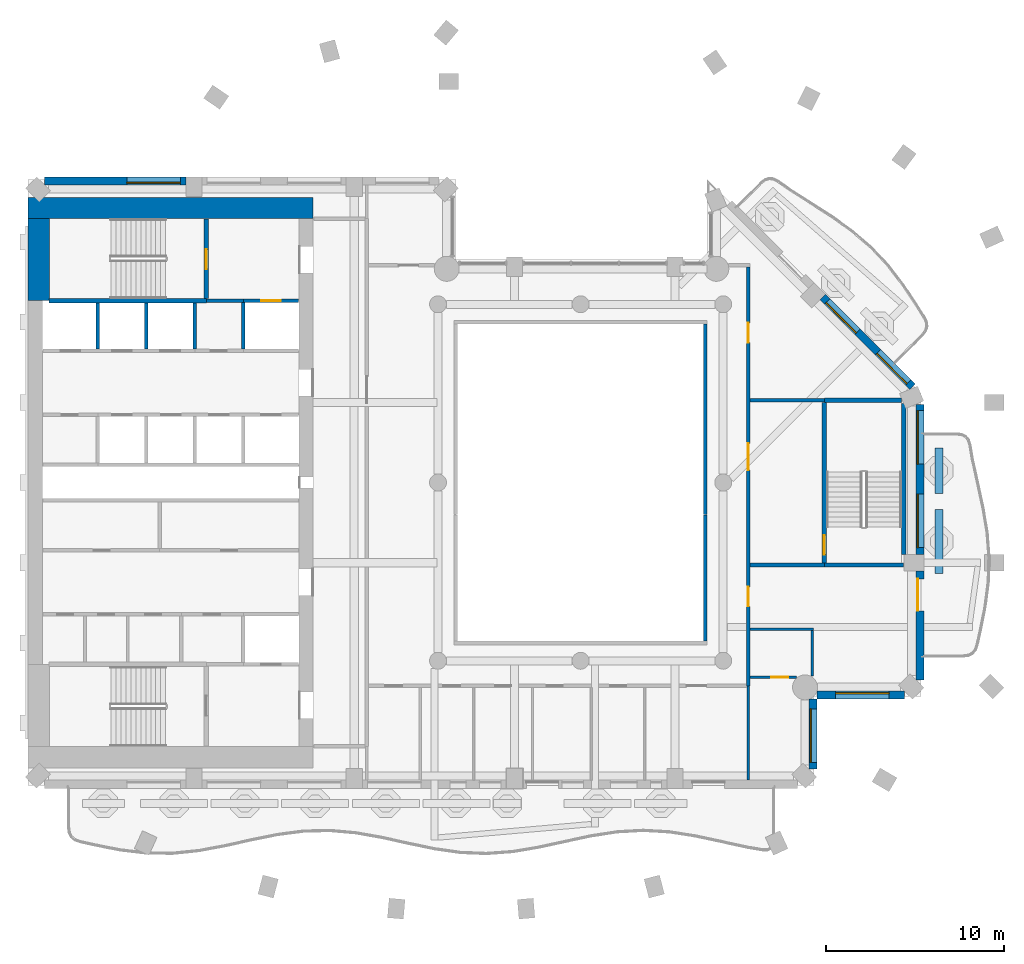
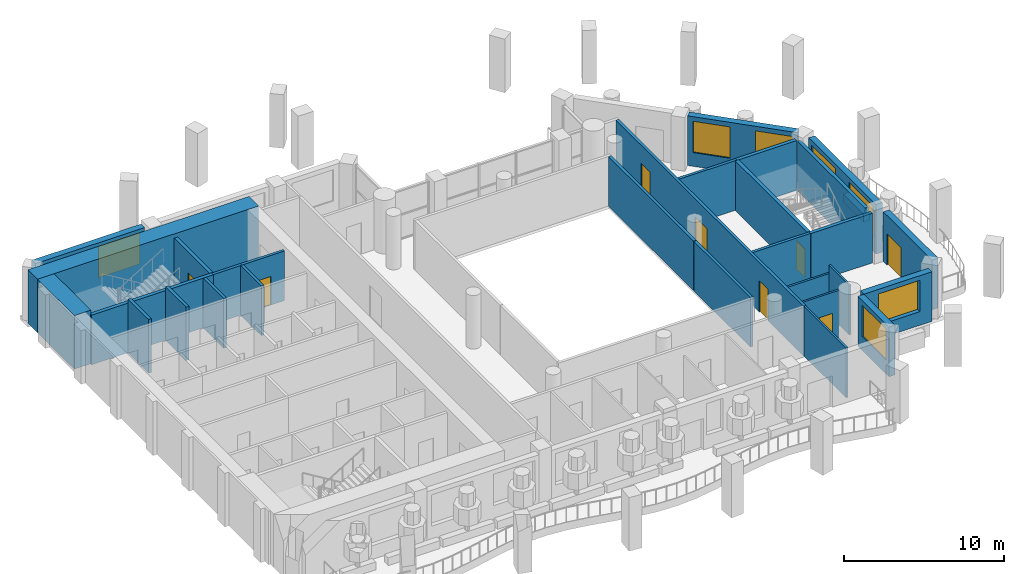
# One storey, part 6 of 15: 31 walls, 8 doors, 7 windows, 15 openings.
"""IFC4 building model written with IfcOpenShell, lengths in metres."""

from ifc_helpers import new_model, si_unit, direction, frame, frame_2d, origin, place, context, subcontext, project, spatial, rectangle, extrude, material, layer, layer_set, type_object, element, fill, save


model = new_model("IFC4")

# Units and contexts
model_context = context("Model", 3, precision=1e-05, world=origin(), true_north=direction((0.0, 1.0)))
body_context = subcontext(model_context, "Body", "Model", "MODEL_VIEW")
ifc_project = project(units=[si_unit("LENGTHUNIT", "METRE"), si_unit("AREAUNIT", "SQUARE_METRE"), si_unit("VOLUMEUNIT", "CUBIC_METRE"), si_unit("PLANEANGLEUNIT", "RADIAN"), si_unit("MASSUNIT", "GRAM", prefix="KILO")], contexts=[model_context])

# Site, building, storey
site_placement = place(None, origin())
site = spatial("IfcSite", under=ifc_project, at=site_placement, CompositionType="ELEMENT")
building_placement = place(site_placement, origin())
building = spatial("IfcBuilding", under=site, at=building_placement, Name="Cypress Arch Tower", CompositionType="ELEMENT")
storey_placement = place(building_placement, frame((0.0, 0.0, 164.60009765625)))
storey = spatial("IfcBuildingStorey", under=building, at=storey_placement, Name="L35", CompositionType="ELEMENT", Elevation=164.60009765625)

# Walls
ifc_material_1 = material(Name="Concrete C40/50, waterproofed", Category="concrete")
ifc_layer_1 = layer(ifc_material_1, 0.449951171875)
ifc_layer_set_1 = layer_set([ifc_layer_1], Name="Balcony planter wall PW450")
wall_type_1 = type_object("IfcWallType", Name="Balcony planter wall PW450", PredefinedType="SOLIDWALL", material=ifc_layer_set_1)
wall_1_placement = place(storey_placement, frame((21.10009765625, -5.10009765625, 0.0), z_axis=(0.0, 0.0, 1.0), x_axis=(0.0, 1.0, 0.0)))
element("IfcWall", 1, at=wall_1_placement, inside=storey, type_object=wall_type_1, Name="Balcony planter wall L35-B04.1", PredefinedType="SOLIDWALL", context=body_context, shape_type="SweptSolid", body=[
    extrude(rectangle(XDim=3.58349609375, YDim=0.449951171875, at=frame_2d((1.791748046875, 0.0))), origin(), (0.0, 0.0, 1.0), 0.599853515625),
])
wall_2_placement = place(storey_placement, frame((21.10009765625, -0.61669921875, 0.0), z_axis=(0.0, 0.0, 1.0), x_axis=(0.0, 1.0, 0.0)))
element("IfcWall", 2, at=wall_2_placement, inside=storey, type_object=wall_type_1, Name="Balcony planter wall L35-B04.2", PredefinedType="SOLIDWALL", context=body_context, shape_type="SweptSolid", body=[
    extrude(rectangle(XDim=2.566650390625, YDim=0.449951171875, at=frame_2d((1.283203125, 0.0))), origin(), (0.0, 0.0, 1.0), 0.599853515625),
])

# Wall, opening, window
ifc_material_2 = material(Name="Brick (red buff blend)", Category="masonry")
ifc_layer_2 = layer(ifc_material_2, 0.449951171875)
ifc_layer_set_2 = layer_set([ifc_layer_2], Name="Brick pier and spandrel wall BW450")
wall_type_2 = type_object("IfcWallType", Name="Brick pier and spandrel wall BW450", PredefinedType="SOLIDWALL", material=ifc_layer_set_2)
wall_3_placement = place(storey_placement, frame((14.02490234375, -16.063720703125, 0.0), z_axis=(0.0, 0.0, 1.0), x_axis=(0.0, 1.0, 0.0)))
wall_3 = element("IfcWall", 3, at=wall_3_placement, inside=storey, type_object=wall_type_2, Name="Brick wall L35 B02.0", PredefinedType="SOLIDWALL", context=body_context, shape_type="SweptSolid", body=[
    extrude(rectangle(XDim=3.9091796875, YDim=0.449951171875, at=frame_2d((1.95458984375, 0.0))), origin(), (0.0, 0.0, 1.0), 3.7998046875),
])
opening_1_placement = place(wall_3_placement, frame((0.363525390625, 0.0, 1.050048828125)))
opening_1 = element("IfcOpeningElement", 4, at=opening_1_placement, cuts=wall_3, Name="Opening W300O", PredefinedType="OPENING", context=body_context, shape_type="SweptSolid", body=[
    extrude(rectangle(XDim=3.0, YDim=2.39990234375, at=frame_2d((1.5, 1.199951171875))), frame((0.0, 0.23486328125, 0.0), z_axis=(0.0, -1.0, 0.0), x_axis=(1.0, 0.0, 0.0)), (0.0, 0.0, 1.0), 0.469970703125),
])
ifc_material_3 = material(Name="Anodised aluminium, bronze finish, clear low-emissivity double glazing", Category="aluminium")
window_type_1 = type_object("IfcWindowType", Name="Window Office 3000x2400", PartitioningType="SINGLE_PANEL", PredefinedType="WINDOW", material=ifc_material_3)
window_1_placement = place(opening_1_placement, origin())
window_1 = element("IfcWindow", 5, at=window_1_placement, inside=storey, type_object=window_type_1, Name="Window L35 B02.0.1", OverallHeight=2.39990234375, OverallWidth=3.0, PartitioningType="SINGLE_PANEL", PredefinedType="WINDOW", context=body_context, shape_type="SweptSolid", body=[
    extrude(rectangle(XDim=3.0, YDim=2.39990234375, at=frame_2d((1.5, 1.199951171875))), frame((0.0, 0.135009765625, 0.0), z_axis=(0.0, -1.0, 0.0), x_axis=(1.0, 0.0, 0.0)), (0.0, 0.0, 1.0), 0.06005859375),
])
fill(opening_1, window_1)

wall_4_placement = place(storey_placement, frame((14.254638671875, -11.925048828125, 0.0), z_axis=(0.0, 0.0, 1.0), x_axis=(1.0, 0.0, 0.0)))
wall_4 = element("IfcWall", 6, at=wall_4_placement, inside=storey, type_object=wall_type_2, Name="Brick wall L35 B03.0", PredefinedType="SOLIDWALL", context=body_context, shape_type="SweptSolid", body=[
    extrude(rectangle(XDim=4.908935546875, YDim=0.449951171875, at=frame_2d((2.45458984375, 0.0))), origin(), (0.0, 0.0, 1.0), 3.7998046875),
])
opening_2_placement = place(wall_4_placement, frame((1.04541015625, 0.0, 1.050048828125)))
opening_2 = element("IfcOpeningElement", 7, at=opening_2_placement, cuts=wall_4, Name="Opening W300O", PredefinedType="OPENING", context=body_context, shape_type="SweptSolid", body=[
    extrude(rectangle(XDim=3.0, YDim=2.39990234375, at=frame_2d((1.5, 1.199951171875))), frame((0.0, 0.23486328125, 0.0), z_axis=(0.0, -1.0, 0.0), x_axis=(1.0, 0.0, 0.0)), (0.0, 0.0, 1.0), 0.469970703125),
])
window_2_placement = place(opening_2_placement, origin())
window_2 = element("IfcWindow", 8, at=window_2_placement, inside=storey, type_object=window_type_1, Name="Window L35 B03.0.1", OverallHeight=2.39990234375, OverallWidth=3.0, PartitioningType="SINGLE_PANEL", PredefinedType="WINDOW", context=body_context, shape_type="SweptSolid", body=[
    extrude(rectangle(XDim=3.0, YDim=2.39990234375, at=frame_2d((1.5, 1.199951171875))), frame((0.0, 0.135009765625, 0.0), z_axis=(0.0, -1.0, 0.0), x_axis=(1.0, 0.0, 0.0)), (0.0, 0.0, 1.0), 0.06005859375),
])
fill(opening_2, window_2)

# Wall, opening, door
wall_5_placement = place(storey_placement, frame((20.02490234375, -11.063720703125, 0.0), z_axis=(0.0, 0.0, 1.0), x_axis=(0.0, 1.0, 0.0)))
wall_5 = element("IfcWall", 9, at=wall_5_placement, inside=storey, type_object=wall_type_2, Name="Brick wall L35 B04.0", PredefinedType="SOLIDWALL", context=body_context, shape_type="SweptSolid", body=[
    extrude(rectangle(XDim=6.11376953125, YDim=0.449951171875, at=frame_2d((3.056884765625, 0.0))), origin(), (0.0, 0.0, 1.0), 3.7998046875),
])
opening_3_placement = place(wall_5_placement, frame((3.863525390625, 0.0, 0.0)))
opening_3 = element("IfcOpeningElement", 10, at=opening_3_placement, cuts=wall_5, Name="Opening D-L35-B04.0.2", PredefinedType="OPENING", context=body_context, shape_type="SweptSolid", body=[
    extrude(rectangle(XDim=1.800048828125, YDim=2.39990234375, at=frame_2d((0.89990234375, 1.199951171875))), frame((0.0, 0.23486328125, 0.0), z_axis=(0.0, -1.0, 0.0), x_axis=(1.0, 0.0, 0.0)), (0.0, 0.0, 1.0), 0.469970703125),
])
ifc_material_4 = material(Name="Anodised aluminium, bronze finish, laminated low-emissivity double glazing, large-missile impact rated", Category="aluminium")
door_type_1 = type_object("IfcDoorType", Name="Balcony sliding door 1800x2400", OperationType="SLIDING_TO_LEFT", PredefinedType="DOOR", material=ifc_material_4)
door_1_placement = place(opening_3_placement, origin())
door_1 = element("IfcDoor", 11, at=door_1_placement, inside=storey, type_object=door_type_1, Name="Balcony door L35 B04.0.2", OperationType="SLIDING_TO_LEFT", OverallHeight=2.39990234375, OverallWidth=1.800048828125, PredefinedType="DOOR", context=body_context, shape_type="SweptSolid", body=[
    extrude(rectangle(XDim=1.800048828125, YDim=2.39990234375, at=frame_2d((0.89990234375, 1.199951171875))), frame((0.0, 0.1298828125, 0.0), z_axis=(0.0, -1.0, 0.0), x_axis=(1.0, 0.0, 0.0)), (0.0, 0.0, 1.0), 0.050048828125),
])
fill(opening_3, door_1)

# Wall, openings, windows
wall_6_placement = place(storey_placement, frame((20.02490234375, -4.050048828125, 0.0), z_axis=(0.0, 0.0, 1.0), x_axis=(0.0, 1.0, 0.0)))
wall_6 = element("IfcWall", 12, at=wall_6_placement, inside=storey, type_object=wall_type_2, Name="Brick wall L35 B04.1", PredefinedType="SOLIDWALL", context=body_context, shape_type="SweptSolid", body=[
    extrude(rectangle(XDim=8.438720703125, YDim=0.449951171875, at=frame_2d((4.21923828125, 0.0))), origin(), (0.0, 0.0, 1.0), 3.7998046875),
])
opening_4_placement = place(wall_6_placement, frame((0.39404296875, 0.0, 1.050048828125)))
opening_4 = element("IfcOpeningElement", 13, at=opening_4_placement, cuts=wall_6, Name="Opening W300OD", PredefinedType="OPENING", context=body_context, shape_type="SweptSolid", body=[
    extrude(rectangle(XDim=3.0, YDim=2.39990234375, at=frame_2d((1.5, 1.199951171875))), frame((0.0, 0.23486328125, 0.0), z_axis=(0.0, -1.0, 0.0), x_axis=(1.0, 0.0, 0.0)), (0.0, 0.0, 1.0), 0.469970703125),
])
opening_5_placement = place(wall_6_placement, frame((5.081787109375, 0.0, 1.050048828125)))
opening_5 = element("IfcOpeningElement", 14, at=opening_5_placement, cuts=wall_6, Name="Opening W300OD", PredefinedType="OPENING", context=body_context, shape_type="SweptSolid", body=[
    extrude(rectangle(XDim=3.0, YDim=2.39990234375, at=frame_2d((1.5, 1.199951171875))), frame((0.0, 0.23486328125, 0.0), z_axis=(0.0, -1.0, 0.0), x_axis=(1.0, 0.0, 0.0)), (0.0, 0.0, 1.0), 0.469970703125),
])
ifc_material_5 = material(Name="Anodised aluminium, bronze finish, laminated low-emissivity double glazing, large-missile impact rated", Category="aluminium")
window_type_2 = type_object("IfcWindowType", Name="Window Office 3000x2400 debris-rated", PartitioningType="SINGLE_PANEL", PredefinedType="WINDOW", material=ifc_material_5)
window_3_placement = place(opening_4_placement, origin())
window_3 = element("IfcWindow", 15, at=window_3_placement, inside=storey, type_object=window_type_2, Name="Window L35 B04.1.1", OverallHeight=2.39990234375, OverallWidth=3.0, PartitioningType="SINGLE_PANEL", PredefinedType="WINDOW", context=body_context, shape_type="SweptSolid", body=[
    extrude(rectangle(XDim=3.0, YDim=2.39990234375, at=frame_2d((1.5, 1.199951171875))), frame((0.0, 0.135009765625, 0.0), z_axis=(0.0, -1.0, 0.0), x_axis=(1.0, 0.0, 0.0)), (0.0, 0.0, 1.0), 0.06005859375),
])
fill(opening_4, window_3)
window_4_placement = place(opening_5_placement, origin())
window_4 = element("IfcWindow", 16, at=window_4_placement, inside=storey, type_object=window_type_2, Name="Window L35 B04.1.2", OverallHeight=2.39990234375, OverallWidth=3.0, PartitioningType="SINGLE_PANEL", PredefinedType="WINDOW", context=body_context, shape_type="SweptSolid", body=[
    extrude(rectangle(XDim=3.0, YDim=2.39990234375, at=frame_2d((1.5, 1.199951171875))), frame((0.0, 0.135009765625, 0.0), z_axis=(0.0, -1.0, 0.0), x_axis=(1.0, 0.0, 0.0)), (0.0, 0.0, 1.0), 0.06005859375),
])
fill(opening_5, window_4)

wall_7_placement = place(storey_placement, frame((19.61474609375, 5.379150390625, 0.0), z_axis=(0.0, 0.0, 1.0), x_axis=(-0.707089646058, 0.7071239159, 0.0)))
wall_7 = element("IfcWall", 17, at=wall_7_placement, inside=storey, type_object=wall_type_2, Name="Brick wall L35 B05.0", PredefinedType="SOLIDWALL", context=body_context, shape_type="SweptSolid", body=[
    extrude(rectangle(XDim=7.1240234375, YDim=0.449951171875, at=frame_2d((3.56201171875, 0.0))), origin(), (0.0, 0.0, 1.0), 3.7998046875),
])
opening_6_placement = place(wall_7_placement, frame((0.328125, 0.0, 1.050048828125)))
opening_6 = element("IfcOpeningElement", 18, at=opening_6_placement, cuts=wall_7, Name="Opening W240OD", PredefinedType="OPENING", context=body_context, shape_type="SweptSolid", body=[
    extrude(rectangle(XDim=2.39990234375, YDim=2.39990234375, at=frame_2d((1.199951171875, 1.199951171875))), frame((0.0, 0.23486328125, 0.0), z_axis=(0.0, -1.0, 0.0), x_axis=(1.0, 0.0, 0.0)), (0.0, 0.0, 1.0), 0.469970703125),
])
opening_7_placement = place(wall_7_placement, frame((4.358642578125, 0.0, 1.050048828125)))
opening_7 = element("IfcOpeningElement", 19, at=opening_7_placement, cuts=wall_7, Name="Opening W240OD", PredefinedType="OPENING", context=body_context, shape_type="SweptSolid", body=[
    extrude(rectangle(XDim=2.39990234375, YDim=2.39990234375, at=frame_2d((1.199951171875, 1.199951171875))), frame((0.0, 0.23486328125, 0.0), z_axis=(0.0, -1.0, 0.0), x_axis=(1.0, 0.0, 0.0)), (0.0, 0.0, 1.0), 0.469970703125),
])
ifc_material_6 = material(Name="Anodised aluminium, bronze finish, laminated low-emissivity double glazing, large-missile impact rated", Category="aluminium")
window_type_3 = type_object("IfcWindowType", Name="Window Office 2400x2400 debris-rated", PartitioningType="SINGLE_PANEL", PredefinedType="WINDOW", material=ifc_material_6)
window_5_placement = place(opening_6_placement, origin())
window_5 = element("IfcWindow", 20, at=window_5_placement, inside=storey, type_object=window_type_3, Name="Window L35 B05.0.1", OverallHeight=2.39990234375, OverallWidth=2.39990234375, PartitioningType="SINGLE_PANEL", PredefinedType="WINDOW", context=body_context, shape_type="SweptSolid", body=[
    extrude(rectangle(XDim=2.39990234375, YDim=2.39990234375, at=frame_2d((1.199951171875, 1.199951171875))), frame((0.0, 0.135009765625, 0.0), z_axis=(0.0, -1.0, 0.0), x_axis=(1.0, 0.0, 0.0)), (0.0, 0.0, 1.0), 0.06005859375),
])
fill(opening_6, window_5)
window_6_placement = place(opening_7_placement, origin())
window_6 = element("IfcWindow", 21, at=window_6_placement, inside=storey, type_object=window_type_3, Name="Window L35 B05.0.2", OverallHeight=2.39990234375, OverallWidth=2.39990234375, PartitioningType="SINGLE_PANEL", PredefinedType="WINDOW", context=body_context, shape_type="SweptSolid", body=[
    extrude(rectangle(XDim=2.39990234375, YDim=2.39990234375, at=frame_2d((1.199951171875, 1.199951171875))), frame((0.0, 0.135009765625, 0.0), z_axis=(0.0, -1.0, 0.0), x_axis=(1.0, 0.0, 0.0)), (0.0, 0.0, 1.0), 0.06005859375),
])
fill(opening_7, window_6)

# Wall, opening, window
wall_8_placement = place(storey_placement, frame((-21.14990234375, 16.925048828125, 0.0), z_axis=(0.0, 0.0, 1.0), x_axis=(-1.0, 0.0, 0.0)))
wall_8 = element("IfcWall", 22, at=wall_8_placement, inside=storey, type_object=wall_type_2, Name="Brick wall L35 B09.2", PredefinedType="SOLIDWALL", context=body_context, shape_type="SweptSolid", body=[
    extrude(rectangle(XDim=7.913818359375, YDim=0.449951171875, at=frame_2d((3.95703125, 0.0))), origin(), (0.0, 0.0, 1.0), 3.7998046875),
])
opening_8_placement = place(wall_8_placement, frame((0.300048828125, 0.0, 1.050048828125)))
opening_8 = element("IfcOpeningElement", 23, at=opening_8_placement, cuts=wall_8, Name="Opening W300O", PredefinedType="OPENING", context=body_context, shape_type="SweptSolid", body=[
    extrude(rectangle(XDim=3.0, YDim=2.39990234375, at=frame_2d((1.5, 1.199951171875))), frame((0.0, 0.23486328125, 0.0), z_axis=(0.0, -1.0, 0.0), x_axis=(1.0, 0.0, 0.0)), (0.0, 0.0, 1.0), 0.469970703125),
])
window_7_placement = place(opening_8_placement, origin())
window_7 = element("IfcWindow", 24, at=window_7_placement, inside=storey, type_object=window_type_1, Name="Window L35 B09.2.1", OverallHeight=2.39990234375, OverallWidth=3.0, PartitioningType="SINGLE_PANEL", PredefinedType="WINDOW", context=body_context, shape_type="SweptSolid", body=[
    extrude(rectangle(XDim=3.0, YDim=2.39990234375, at=frame_2d((1.5, 1.199951171875))), frame((0.0, 0.135009765625, 0.0), z_axis=(0.0, -1.0, 0.0), x_axis=(1.0, 0.0, 0.0)), (0.0, 0.0, 1.0), 0.06005859375),
])
fill(opening_8, window_7)

# Walls
ifc_material_7 = material(Name="Concrete C70/85", Category="concrete")
ifc_layer_3 = layer(ifc_material_7, 1.199951171875)
ifc_layer_set_3 = layer_set([ifc_layer_3], Name="Core wall CW1200 C70/85")
wall_type_3 = type_object("IfcWallType", Name="Core wall CW1200 C70/85", PredefinedType="SHEAR", material=ifc_layer_set_3)
wall_9_placement = place(storey_placement, frame((-30.0, 15.39990234375, 0.0), z_axis=(0.0, 0.0, 1.0), x_axis=(1.0, 0.0, 0.0)))
element("IfcWall", 25, at=wall_9_placement, inside=storey, type_object=wall_type_3, Name="Core wall", PredefinedType="SHEAR", context=body_context, shape_type="SweptSolid", body=[
    extrude(rectangle(XDim=16.0, YDim=1.199951171875, at=frame_2d((8.0, 0.0))), origin(), (0.0, 0.0, 1.0), 4.099853515625),
])
wall_10_placement = place(storey_placement, frame((-29.39990234375, 10.199951171875, 0.0), z_axis=(0.0, 0.0, 1.0), x_axis=(0.0, 1.0, 0.0)))
element("IfcWall", 26, at=wall_10_placement, inside=storey, type_object=wall_type_3, Name="Core wall", PredefinedType="SHEAR", context=body_context, shape_type="SweptSolid", body=[
    extrude(rectangle(XDim=4.60009765625, YDim=1.199951171875, at=frame_2d((2.300048828125, 0.0))), origin(), (0.0, 0.0, 1.0), 4.099853515625),
])
ifc_material_8 = material(Name="Concrete blockwork, plastered, rated", Category="masonry")
ifc_layer_4 = layer(ifc_material_8, 0.199951171875)
ifc_layer_set_4 = layer_set([ifc_layer_4], Name="Corridor wall FW200")
wall_type_4 = type_object("IfcWallType", Name="Corridor wall FW200", PredefinedType="PARTITIONING", material=ifc_layer_set_4)
wall_11_placement = place(storey_placement, frame((-20.0, 10.199951171875, 0.0), z_axis=(0.0, 0.0, 1.0), x_axis=(1.0, 0.0, 0.0)))
element("IfcWall", 27, at=wall_11_placement, inside=storey, type_object=wall_type_4, Name="Corridor wall", PredefinedType="PARTITIONING", context=body_context, shape_type="SweptSolid", body=[
    extrude(rectangle(XDim=2.080078125, YDim=0.199951171875, at=frame_2d((1.0400390625, 0.0))), origin(), (0.0, 0.0, 1.0), 3.7998046875),
])
wall_12_placement = place(storey_placement, frame((8.0, -8.89990234375, 0.0), z_axis=(0.0, 0.0, 1.0), x_axis=(0.0, 1.0, 0.0)))
element("IfcWall", 28, at=wall_12_placement, inside=storey, type_object=wall_type_4, Name="Corridor wall", PredefinedType="PARTITIONING", context=body_context, shape_type="SweptSolid", body=[
    extrude(rectangle(XDim=7.079833984375, YDim=0.199951171875, at=frame_2d((3.5400390625, 0.0))), origin(), (0.0, 0.0, 1.0), 3.7998046875),
])
wall_13_placement = place(storey_placement, frame((8.0, -1.780029296875, 0.0), z_axis=(0.0, 0.0, 1.0), x_axis=(0.0, 1.0, 0.0)))
element("IfcWall", 29, at=wall_13_placement, inside=storey, type_object=wall_type_4, Name="Corridor wall", PredefinedType="PARTITIONING", context=body_context, shape_type="SweptSolid", body=[
    extrude(rectangle(XDim=10.679931640625, YDim=0.199951171875, at=frame_2d((5.33984375, 0.0))), origin(), (0.0, 0.0, 1.0), 3.7998046875),
])

# Wall, openings, doors
wall_14_placement = place(storey_placement, frame((10.39990234375, -11.39990234375, 0.0), z_axis=(0.0, 0.0, 1.0), x_axis=(0.0, 1.0, 0.0)))
wall_14 = element("IfcWall", 30, at=wall_14_placement, inside=storey, type_object=wall_type_4, Name="Corridor wall", PredefinedType="PARTITIONING", context=body_context, shape_type="SweptSolid", body=[
    extrude(rectangle(XDim=23.5, YDim=0.199951171875, at=frame_2d((11.75, 0.0))), origin(), (0.0, 0.0, 1.0), 3.7998046875),
])
opening_9_placement = place(wall_14_placement, frame((12.10009765625, 0.0, 0.0)))
opening_9 = element("IfcOpeningElement", 31, at=opening_9_placement, cuts=wall_14, Name="Opening D07", PredefinedType="OPENING", context=body_context, shape_type="SweptSolid", body=[
    extrude(rectangle(XDim=1.5, YDim=2.39990234375, at=frame_2d((0.75, 1.199951171875))), frame((0.0, 0.10986328125, 0.0), z_axis=(0.0, -1.0, 0.0), x_axis=(1.0, 0.0, 0.0)), (0.0, 0.0, 1.0), 0.219970703125),
])
opening_10_placement = place(wall_14_placement, frame((19.25, 0.0, 0.0)))
opening_10 = element("IfcOpeningElement", 32, at=opening_10_placement, cuts=wall_14, Name="Opening D01", PredefinedType="OPENING", context=body_context, shape_type="SweptSolid", body=[
    extrude(rectangle(XDim=1.10009765625, YDim=2.39990234375, at=frame_2d((0.550048828125, 1.199951171875))), frame((0.0, 0.10986328125, 0.0), z_axis=(0.0, -1.0, 0.0), x_axis=(1.0, 0.0, 0.0)), (0.0, 0.0, 1.0), 0.219970703125),
])
opening_11_placement = place(wall_14_placement, frame((4.449951171875, 0.0, 0.0)))
opening_11 = element("IfcOpeningElement", 33, at=opening_11_placement, cuts=wall_14, Name="Opening D01", PredefinedType="OPENING", context=body_context, shape_type="SweptSolid", body=[
    extrude(rectangle(XDim=1.10009765625, YDim=2.39990234375, at=frame_2d((0.550048828125, 1.199951171875))), frame((0.0, 0.10986328125, 0.0), z_axis=(0.0, -1.0, 0.0), x_axis=(1.0, 0.0, 0.0)), (0.0, 0.0, 1.0), 0.219970703125),
])
ifc_material_9 = material(Name="Steel framed glazed door, fire resisting", Category="steel")
door_type_2 = type_object("IfcDoorType", Name="Lobby door D07 1500x2400", OperationType="DOUBLE_DOOR_SINGLE_SWING", PredefinedType="DOOR", material=ifc_material_9)
door_2_placement = place(opening_9_placement, origin())
door_2 = element("IfcDoor", 34, at=door_2_placement, inside=storey, type_object=door_type_2, Name="Lobby door", OperationType="DOUBLE_DOOR_SINGLE_SWING", OverallHeight=2.39990234375, OverallWidth=1.5, PredefinedType="DOOR", context=body_context, shape_type="SweptSolid", body=[
    extrude(rectangle(XDim=1.5, YDim=2.39990234375, at=frame_2d((0.75, 1.199951171875))), frame((0.0, 0.02490234375, 0.0), z_axis=(0.0, -1.0, 0.0), x_axis=(1.0, 0.0, 0.0)), (0.0, 0.0, 1.0), 0.050048828125),
])
fill(opening_9, door_2)
ifc_material_10 = material(Name="Timber flush door, fire resisting, self-closing", Category="wood")
door_type_3 = type_object("IfcDoorType", Name="Unit entrance door D01 1100x2400", OperationType="SINGLE_SWING_LEFT", PredefinedType="DOOR", material=ifc_material_10)
door_3_placement = place(opening_10_placement, origin())
door_3 = element("IfcDoor", 35, at=door_3_placement, inside=storey, type_object=door_type_3, Name="Unit entrance door", OperationType="SINGLE_SWING_LEFT", OverallHeight=2.39990234375, OverallWidth=1.10009765625, PredefinedType="DOOR", context=body_context, shape_type="SweptSolid", body=[
    extrude(rectangle(XDim=1.10009765625, YDim=2.39990234375, at=frame_2d((0.550048828125, 1.199951171875))), frame((0.0, 0.02490234375, 0.0), z_axis=(0.0, -1.0, 0.0), x_axis=(1.0, 0.0, 0.0)), (0.0, 0.0, 1.0), 0.050048828125),
])
fill(opening_10, door_3)
door_4_placement = place(opening_11_placement, origin())
door_4 = element("IfcDoor", 36, at=door_4_placement, inside=storey, type_object=door_type_3, Name="Unit entrance door", OperationType="SINGLE_SWING_LEFT", OverallHeight=2.39990234375, OverallWidth=1.10009765625, PredefinedType="DOOR", context=body_context, shape_type="SweptSolid", body=[
    extrude(rectangle(XDim=1.10009765625, YDim=2.39990234375, at=frame_2d((0.550048828125, 1.199951171875))), frame((0.0, 0.02490234375, 0.0), z_axis=(0.0, -1.0, 0.0), x_axis=(1.0, 0.0, 0.0)), (0.0, 0.0, 1.0), 0.050048828125),
])
fill(opening_11, door_4)

# Walls
for number, where, z_axis, x_axis, name in (
    (37, (10.5, -4.625, 0.0), (0.0, 0.0, 1.0), (1.0, 0.0, 0.0), "Corridor wall"),
    (38, (10.5, 4.625, 0.0), (0.0, 0.0, 1.0), (1.0, 0.0, 0.0), "Corridor wall"),
):
    element("IfcWall", number, at=place(storey_placement, frame(where, z_axis=z_axis, x_axis=x_axis)), inside=storey, type_object=wall_type_4, Name=name, PredefinedType="PARTITIONING", context=body_context, shape_type="SweptSolid", body=[
        extrude(rectangle(XDim=4.175048828125, YDim=0.199951171875, at=frame_2d((2.08740234375, 0.0))), origin(), (0.0, 0.0, 1.0), 3.7998046875),
    ])
ifc_material_11 = material(Name="Blockwork, plastered both sides", Category="masonry")
ifc_layer_5 = layer(ifc_material_11, 0.14990234375)
ifc_layer_set_5 = layer_set([ifc_layer_5], Name="Partition PW150")
wall_type_5 = type_object("IfcWallType", Name="Partition PW150", PredefinedType="PARTITIONING", material=ifc_layer_set_5)
wall_15_placement = place(storey_placement, frame((10.39990234375, -16.699951171875, 0.0), z_axis=(0.0, 0.0, 1.0), x_axis=(0.0, 1.0, 0.0)))
element("IfcWall", 39, at=wall_15_placement, inside=storey, type_object=wall_type_5, Name="Partition", PredefinedType="PARTITIONING", context=body_context, shape_type="SweptSolid", body=[
    extrude(rectangle(XDim=5.300048828125, YDim=0.14990234375, at=frame_2d((2.64990234375, 0.0))), origin(), (0.0, 0.0, 1.0), 3.7998046875),
])

# Wall, opening, door
wall_16_placement = place(storey_placement, frame((10.5, -10.925048828125, 0.0), z_axis=(0.0, 0.0, 1.0), x_axis=(1.0, 0.0, 0.0)))
wall_16 = element("IfcWall", 40, at=wall_16_placement, inside=storey, type_object=wall_type_5, Name="Partition", PredefinedType="PARTITIONING", context=body_context, shape_type="SweptSolid", body=[
    extrude(rectangle(XDim=2.605712890625, YDim=0.14990234375, at=frame_2d((1.302734375, 0.0))), origin(), (0.0, 0.0, 1.0), 3.7998046875),
])
opening_12_placement = place(wall_16_placement, frame((1.199951171875, 0.0, 0.0)))
opening_12 = element("IfcOpeningElement", 41, at=opening_12_placement, cuts=wall_16, Name="Opening D12", PredefinedType="OPENING", context=body_context, shape_type="SweptSolid", body=[
    extrude(rectangle(XDim=0.949951171875, YDim=2.199951171875, at=frame_2d((0.47509765625, 1.10009765625))), frame((0.0, 0.0849609375, 0.0), z_axis=(0.0, -1.0, 0.0), x_axis=(1.0, 0.0, 0.0)), (0.0, 0.0, 1.0), 0.169921875),
])
ifc_material_12 = material(Name="Timber flush door", Category="wood")
door_type_4 = type_object("IfcDoorType", Name="Room door D12 950x2200", OperationType="SINGLE_SWING_LEFT", PredefinedType="DOOR", material=ifc_material_12)
door_5_placement = place(opening_12_placement, origin())
door_5 = element("IfcDoor", 42, at=door_5_placement, inside=storey, type_object=door_type_4, Name="Room door", OperationType="SINGLE_SWING_LEFT", OverallHeight=2.199951171875, OverallWidth=0.949951171875, PredefinedType="DOOR", context=body_context, shape_type="SweptSolid", body=[
    extrude(rectangle(XDim=0.949951171875, YDim=2.199951171875, at=frame_2d((0.47509765625, 1.10009765625))), frame((0.0, 0.02490234375, 0.0), z_axis=(0.0, -1.0, 0.0), x_axis=(1.0, 0.0, 0.0)), (0.0, 0.0, 1.0), 0.050048828125),
])
fill(opening_12, door_5)

# Walls
wall_17_placement = place(storey_placement, frame((10.5, -8.22509765625, 0.0), z_axis=(0.0, 0.0, 1.0), x_axis=(1.0, 0.0, 0.0)))
element("IfcWall", 43, at=wall_17_placement, inside=storey, type_object=wall_type_5, Name="Partition", PredefinedType="PARTITIONING", context=body_context, shape_type="SweptSolid", body=[
    extrude(rectangle(XDim=3.574951171875, YDim=0.14990234375, at=frame_2d((1.78759765625, 0.0))), origin(), (0.0, 0.0, 1.0), 3.14990234375),
])
wall_18_placement = place(storey_placement, frame((14.0, -10.85009765625, 0.0), z_axis=(0.0, 0.0, 1.0), x_axis=(0.0, 1.0, 0.0)))
element("IfcWall", 44, at=wall_18_placement, inside=storey, type_object=wall_type_5, Name="Partition", PredefinedType="PARTITIONING", context=body_context, shape_type="SweptSolid", body=[
    extrude(rectangle(XDim=2.550048828125, YDim=0.14990234375, at=frame_2d((1.27490234375, 0.0))), origin(), (0.0, 0.0, 1.0), 3.7998046875),
])
ifc_material_13 = material(Name="Concrete C50/60", Category="concrete")
ifc_layer_6 = layer(ifc_material_13, 0.199951171875)
ifc_layer_set_6 = layer_set([ifc_layer_6], Name="Shaft wall SH200")
wall_type_6 = type_object("IfcWallType", Name="Shaft wall SH200", PredefinedType="SHEAR", material=ifc_layer_set_6)
for number, where, z_axis, x_axis, name in (
    (45, (-26.080078125, 7.5, 0.0), (0.0, 0.0, 1.0), (0.0, 1.0, 0.0), "Shaft wall"),
    (46, (-23.360107421875, 7.5, 0.0), (0.0, 0.0, 1.0), (0.0, 1.0, 0.0), "Shaft wall"),
):
    element("IfcWall", number, at=place(storey_placement, frame(where, z_axis=z_axis, x_axis=x_axis)), inside=storey, type_object=wall_type_6, Name=name, PredefinedType="SHEAR", context=body_context, shape_type="SweptSolid", body=[
        extrude(rectangle(XDim=2.574951171875, YDim=0.199951171875, at=frame_2d((1.28759765625, 0.0))), origin(), (0.0, 0.0, 1.0), 4.099853515625),
    ])
wall_19_placement = place(storey_placement, frame((-20.639892578125, 7.5, 0.0), z_axis=(0.0, 0.0, 1.0), x_axis=(0.0, 1.0, 0.0)))
element("IfcWall", 47, at=wall_19_placement, inside=storey, type_object=wall_type_6, Name="Shaft wall", PredefinedType="SHEAR", context=body_context, shape_type="SweptSolid", body=[
    extrude(rectangle(XDim=2.574951171875, YDim=0.199951171875, at=frame_2d((1.28759765625, 0.0))), origin(), (0.0, 0.0, 1.0), 3.7998046875),
])
wall_20_placement = place(storey_placement, frame((-17.919921875, 7.5, 0.0), z_axis=(0.0, 0.0, 1.0), x_axis=(0.0, 1.0, 0.0)))
element("IfcWall", 48, at=wall_20_placement, inside=storey, type_object=wall_type_6, Name="Shaft wall", PredefinedType="SHEAR", context=body_context, shape_type="SweptSolid", body=[
    extrude(rectangle(XDim=2.60009765625, YDim=0.199951171875, at=frame_2d((1.300048828125, 0.0))), origin(), (0.0, 0.0, 1.0), 3.7998046875),
])

# Wall, opening, door
wall_21_placement = place(storey_placement, frame((-17.919921875, 10.199951171875, 0.0), z_axis=(0.0, 0.0, 1.0), x_axis=(1.0, 0.0, 0.0)))
wall_21 = element("IfcWall", 49, at=wall_21_placement, inside=storey, type_object=wall_type_6, Name="Shaft wall", PredefinedType="SHEAR", context=body_context, shape_type="SweptSolid", body=[
    extrude(rectangle(XDim=3.08984375, YDim=0.199951171875, at=frame_2d((1.544921875, 0.0))), origin(), (0.0, 0.0, 1.0), 3.7998046875),
])
opening_13_placement = place(wall_21_placement, frame((1.0, 0.0, 0.0)))
opening_13 = element("IfcOpeningElement", 50, at=opening_13_placement, cuts=wall_21, Name="Opening LD-FL2", PredefinedType="OPENING", context=body_context, shape_type="SweptSolid", body=[
    extrude(rectangle(XDim=1.10009765625, YDim=2.199951171875, at=frame_2d((0.550048828125, 1.10009765625))), frame((0.0, 0.10986328125, 0.0), z_axis=(0.0, -1.0, 0.0), x_axis=(1.0, 0.0, 0.0)), (0.0, 0.0, 1.0), 0.219970703125),
])
ifc_material_14 = material(Name="Stainless steel centre-opening landing door, rated", Category="steel")
door_type_5 = type_object("IfcDoorType", Name="Lift landing door LD 1100x2200", OperationType="DOUBLE_DOOR_SLIDING", PredefinedType="DOOR", material=ifc_material_14)
door_6_placement = place(opening_13_placement, origin())
door_6 = element("IfcDoor", 51, at=door_6_placement, inside=storey, type_object=door_type_5, Name="Lift landing doors FL2", OperationType="DOUBLE_DOOR_SLIDING", OverallHeight=2.199951171875, OverallWidth=1.10009765625, PredefinedType="DOOR", context=body_context, shape_type="SweptSolid", body=[
    extrude(rectangle(XDim=1.10009765625, YDim=2.199951171875, at=frame_2d((0.550048828125, 1.10009765625))), frame((0.0, 0.02490234375, 0.0), z_axis=(0.0, -1.0, 0.0), x_axis=(1.0, 0.0, 0.0)), (0.0, 0.0, 1.0), 0.050048828125),
])
fill(opening_13, door_6)

# Wall
ifc_material_15 = material(Name="Concrete C50/60", Category="concrete")
ifc_layer_7 = layer(ifc_material_15, 0.25)
ifc_layer_set_7 = layer_set([ifc_layer_7], Name="Stair enclosure wall SW250")
wall_type_7 = type_object("IfcWallType", Name="Stair enclosure wall SW250", PredefinedType="SHEAR", material=ifc_layer_set_7)
wall_22_placement = place(storey_placement, frame((-28.81005859375, 10.199951171875, 0.0), z_axis=(0.0, 0.0, 1.0), x_axis=(1.0, 0.0, 0.0)))
element("IfcWall", 52, at=wall_22_placement, inside=storey, type_object=wall_type_7, Name="Stair enclosure wall", PredefinedType="SHEAR", context=body_context, shape_type="SweptSolid", body=[
    extrude(rectangle(XDim=8.81005859375, YDim=0.25, at=frame_2d((4.405029296875, 0.0))), origin(), (0.0, 0.0, 1.0), 3.7998046875),
])

# Wall, opening, door
wall_23_placement = place(storey_placement, frame((-20.0, 10.324951171875, 0.0), z_axis=(0.0, 0.0, 1.0), x_axis=(0.0, 1.0, 0.0)))
wall_23 = element("IfcWall", 53, at=wall_23_placement, inside=storey, type_object=wall_type_7, Name="Stair enclosure wall", PredefinedType="SHEAR", context=body_context, shape_type="SweptSolid", body=[
    extrude(rectangle(XDim=4.445068359375, YDim=0.25, at=frame_2d((2.22265625, 0.0))), origin(), (0.0, 0.0, 1.0), 3.7998046875),
])
opening_14_placement = place(wall_23_placement, frame((1.64990234375, 0.0, 0.0)))
opening_14 = element("IfcOpeningElement", 54, at=opening_14_placement, cuts=wall_23, Name="Opening D06", PredefinedType="OPENING", context=body_context, shape_type="SweptSolid", body=[
    extrude(rectangle(XDim=1.10009765625, YDim=2.199951171875, at=frame_2d((0.550048828125, 1.10009765625))), frame((0.0, 0.135009765625, 0.0), z_axis=(0.0, -1.0, 0.0), x_axis=(1.0, 0.0, 0.0)), (0.0, 0.0, 1.0), 0.27001953125),
])
ifc_material_16 = material(Name="Steel door, fire resisting, panic bar", Category="steel")
door_type_6 = type_object("IfcDoorType", Name="Stair door D06 1100x2200", OperationType="SINGLE_SWING_LEFT", PredefinedType="DOOR", material=ifc_material_16)
door_7_placement = place(opening_14_placement, origin())
door_7 = element("IfcDoor", 55, at=door_7_placement, inside=storey, type_object=door_type_6, Name="Stair door", OperationType="SINGLE_SWING_LEFT", OverallHeight=2.199951171875, OverallWidth=1.10009765625, PredefinedType="DOOR", context=body_context, shape_type="SweptSolid", body=[
    extrude(rectangle(XDim=1.10009765625, YDim=2.199951171875, at=frame_2d((0.550048828125, 1.10009765625))), frame((0.0, 0.02490234375, 0.0), z_axis=(0.0, -1.0, 0.0), x_axis=(1.0, 0.0, 0.0)), (0.0, 0.0, 1.0), 0.050048828125),
])
fill(opening_14, door_7)

wall_24_placement = place(storey_placement, frame((14.675048828125, -4.5, 0.0), z_axis=(0.0, 0.0, 1.0), x_axis=(0.0, 1.0, 0.0)))
wall_24 = element("IfcWall", 56, at=wall_24_placement, inside=storey, type_object=wall_type_7, Name="Stair enclosure wall", PredefinedType="SHEAR", context=body_context, shape_type="SweptSolid", body=[
    extrude(rectangle(XDim=9.0, YDim=0.25, at=frame_2d((4.5, 0.0))), origin(), (0.0, 0.0, 1.0), 3.7998046875),
])
opening_15_placement = place(wall_24_placement, frame((0.449951171875, 0.0, 0.0)))
opening_15 = element("IfcOpeningElement", 57, at=opening_15_placement, cuts=wall_24, Name="Opening D06", PredefinedType="OPENING", context=body_context, shape_type="SweptSolid", body=[
    extrude(rectangle(XDim=1.10009765625, YDim=2.199951171875, at=frame_2d((0.550048828125, 1.10009765625))), frame((0.0, 0.135009765625, 0.0), z_axis=(0.0, -1.0, 0.0), x_axis=(1.0, 0.0, 0.0)), (0.0, 0.0, 1.0), 0.27001953125),
])
door_8_placement = place(opening_15_placement, origin())
door_8 = element("IfcDoor", 58, at=door_8_placement, inside=storey, type_object=door_type_6, Name="Stair door", OperationType="SINGLE_SWING_RIGHT", OverallHeight=2.199951171875, OverallWidth=1.10009765625, PredefinedType="DOOR", context=body_context, shape_type="SweptSolid", body=[
    extrude(rectangle(XDim=1.10009765625, YDim=2.199951171875, at=frame_2d((0.550048828125, 1.10009765625))), frame((0.0, 0.02490234375, 0.0), z_axis=(0.0, -1.0, 0.0), x_axis=(1.0, 0.0, 0.0)), (0.0, 0.0, 1.0), 0.050048828125),
])
fill(opening_15, door_8)

# Walls
wall_25_placement = place(storey_placement, frame((14.675048828125, -4.625, 0.0), z_axis=(0.0, 0.0, 1.0), x_axis=(1.0, 0.0, 0.0)))
element("IfcWall", 59, at=wall_25_placement, inside=storey, type_object=wall_type_7, Name="Stair enclosure wall", PredefinedType="SHEAR", context=body_context, shape_type="SweptSolid", body=[
    extrude(rectangle(XDim=4.449951171875, YDim=0.25, at=frame_2d((2.22509765625, 0.0))), origin(), (0.0, 0.0, 1.0), 3.7998046875),
])
wall_26_placement = place(storey_placement, frame((14.675048828125, 4.625, 0.0), z_axis=(0.0, 0.0, 1.0), x_axis=(1.0, 0.0, 0.0)))
element("IfcWall", 60, at=wall_26_placement, inside=storey, type_object=wall_type_7, Name="Stair enclosure wall", PredefinedType="SHEAR", context=body_context, shape_type="SweptSolid", body=[
    extrude(rectangle(XDim=4.32373046875, YDim=0.25, at=frame_2d((2.161865234375, 0.0))), origin(), (0.0, 0.0, 1.0), 3.7998046875),
])
wall_27_placement = place(storey_placement, frame((19.125, -4.050048828125, 0.0), z_axis=(0.0, 0.0, 1.0), x_axis=(0.0, 1.0, 0.0)))
element("IfcWall", 61, at=wall_27_placement, inside=storey, type_object=wall_type_7, Name="Stair enclosure wall", PredefinedType="SHEAR", context=body_context, shape_type="SweptSolid", body=[
    extrude(rectangle(XDim=8.4765625, YDim=0.25, at=frame_2d((4.23828125, 0.0))), origin(), (0.0, 0.0, 1.0), 3.7998046875),
])

save(model, "model.ifc")
